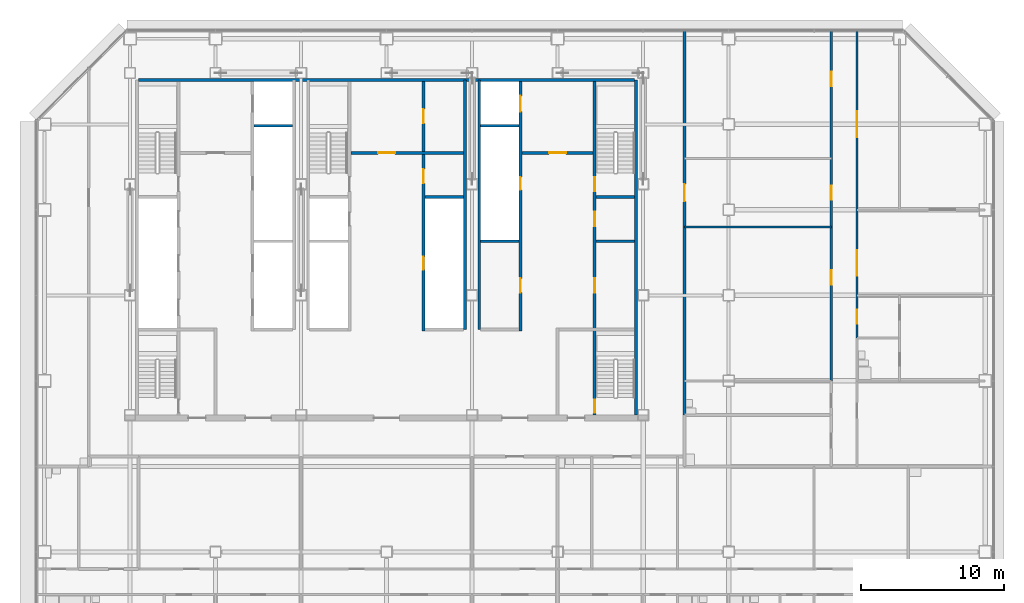
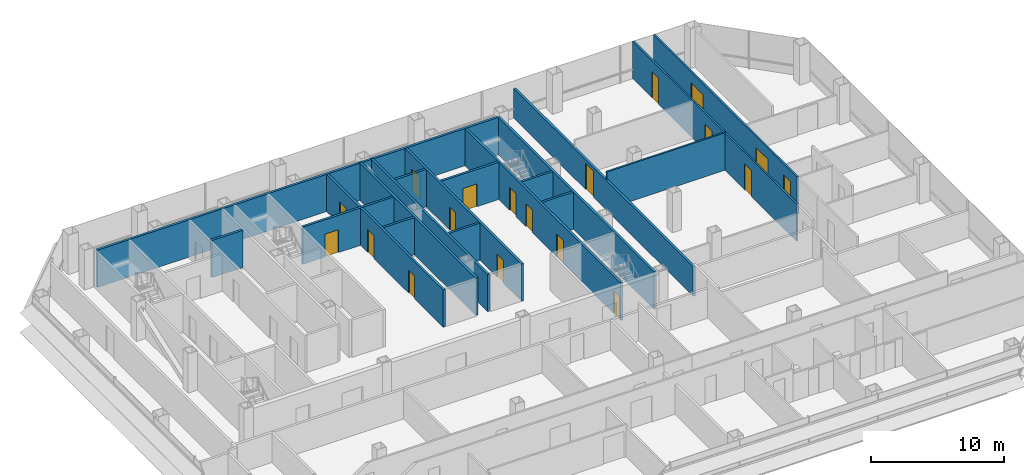
# One storey, part 23 of 27: 19 doors, 19 walls, 19 openings.
"""IFC4 building model written with IfcOpenShell, lengths in metres."""

from ifc_helpers import new_model, si_unit, direction, frame, frame_2d, origin, place, context, subcontext, project, spatial, rectangle, extrude, material, layer, layer_set, type_object, element, fill, save


model = new_model("IFC4")

# Units and contexts
model_context = context("Model", 3, precision=1e-05, world=origin(), true_north=direction((0.0, 1.0)))
body_context = subcontext(model_context, "Body", "Model", "MODEL_VIEW")
ifc_project = project(units=[si_unit("LENGTHUNIT", "METRE"), si_unit("AREAUNIT", "SQUARE_METRE"), si_unit("VOLUMEUNIT", "CUBIC_METRE"), si_unit("PLANEANGLEUNIT", "RADIAN"), si_unit("MASSUNIT", "GRAM", prefix="KILO")], contexts=[model_context])

# Site, building, storey
site_placement = place(None, origin())
site = spatial("IfcSite", under=ifc_project, at=site_placement, CompositionType="ELEMENT")
building_placement = place(site_placement, origin())
building = spatial("IfcBuilding", under=site, at=building_placement, Name="Sorahane Residences", CompositionType="ELEMENT")
storey_placement = place(building_placement, frame((0.0, 0.0, 49.800048828125)))
storey = spatial("IfcBuildingStorey", under=building, at=storey_placement, Name="L08", CompositionType="ELEMENT", Elevation=49.800048828125)

# Walls
ifc_material_1 = material(Name="Concrete C30", Category="concrete")
ifc_layer_1 = layer(ifc_material_1, 0.199951171875)
ifc_layer_set_1 = layer_set([ifc_layer_1], Name="Core face wall 200 EI 180")
wall_type_1 = type_object("IfcWallType", Name="Core face wall 200 EI 180", PredefinedType="SOLIDWALL", material=ifc_layer_set_1)
wall_1_placement = place(storey_placement, frame((41.5, 21.60009765625, 0.0), z_axis=(0.0, 0.0, 1.0), x_axis=(0.0, 1.0, 0.0)))
element("IfcWall", 1, at=wall_1_placement, inside=storey, type_object=wall_type_1, Name="L08 core face wall", PredefinedType="SOLIDWALL", context=body_context, shape_type="SweptSolid", body=[
    extrude(rectangle(XDim=23.5, YDim=0.199951171875, at=frame_2d((11.75, 0.0))), origin(), (0.0, 0.0, 1.0), 3.419921875),
])
wall_2_placement = place(storey_placement, frame((6.60009765625, 45.10009765625, 0.0), z_axis=(0.0, 0.0, 1.0), x_axis=(1.0, 0.0, 0.0)))
element("IfcWall", 2, at=wall_2_placement, inside=storey, type_object=wall_type_1, Name="L08 core face wall", PredefinedType="SOLIDWALL", context=body_context, shape_type="SweptSolid", body=[
    extrude(rectangle(XDim=34.7998046875, YDim=0.199951171875, at=frame_2d((17.39990234375, 0.0))), origin(), (0.0, 0.0, 1.0), 3.419921875),
])
for number, where, z_axis, x_axis, name in (
    (3, (29.5, 27.60009765625, 0.0), (0.0, 0.0, 1.0), (0.0, 1.0, 0.0), "L08 core face wall"),
    (4, (30.5, 27.60009765625, 0.0), (0.0, 0.0, 1.0), (0.0, 1.0, 0.0), "L08 core face wall"),
):
    element("IfcWall", number, at=place(storey_placement, frame(where, z_axis=z_axis, x_axis=x_axis)), inside=storey, type_object=wall_type_1, Name=name, PredefinedType="SOLIDWALL", context=body_context, shape_type="SweptSolid", body=[
        extrude(rectangle(XDim=17.5, YDim=0.199951171875, at=frame_2d((8.75, 0.0))), origin(), (0.0, 0.0, 1.0), 3.419921875),
    ])

# Wall, opening, door
ifc_material_2 = material(Name="Concrete blockwork C20 wall", Category="masonry")
ifc_layer_2 = layer(ifc_material_2, 0.199951171875)
ifc_layer_set_2 = layer_set([ifc_layer_2], Name="Corridor wall 200 EI 120")
wall_type_2 = type_object("IfcWallType", Name="Corridor wall 200 EI 120", PredefinedType="SOLIDWALL", material=ifc_layer_set_2)
wall_3_placement = place(storey_placement, frame((44.89990234375, 21.60009765625, 0.0), z_axis=(0.0, 0.0, 1.0), x_axis=(0.0, 1.0, 0.0)))
wall_3 = element("IfcWall", 5, at=wall_3_placement, inside=storey, type_object=wall_type_2, Name="L08 corridor wall", PredefinedType="SOLIDWALL", context=body_context, shape_type="SweptSolid", body=[
    extrude(rectangle(XDim=27.0, YDim=0.199951171875, at=frame_2d((13.5, 0.0))), origin(), (0.0, 0.0, 1.0), 2.719970703125),
])
opening_1_placement = place(wall_3_placement, frame((15.0, 0.0, 0.0)))
opening_1 = element("IfcOpeningElement", 6, at=opening_1_placement, cuts=wall_3, Name="Opening L08-42", PredefinedType="OPENING", context=body_context, shape_type="SweptSolid", body=[
    extrude(rectangle(XDim=1.199951171875, YDim=2.39990234375, at=frame_2d((0.60009765625, 1.199951171875))), frame((0.0, 0.10986328125, 0.0), z_axis=(0.0, -1.0, 0.0), x_axis=(1.0, 0.0, 0.0)), (0.0, 0.0, 1.0), 0.219970703125),
])
ifc_material_3 = material(Name="Timber veneered fire door", Category="wood")
door_type_1 = type_object("IfcDoorType", Name="Flat entrance door 1200x2400 FD60", OperationType="NOTDEFINED", PredefinedType="DOOR", material=ifc_material_3)
door_1_placement = place(opening_1_placement, frame((1.199951171875, 0.0, 0.0), z_axis=(0.0, 0.0, 1.0), x_axis=(-1.0, 0.0, 0.0)))
door_1 = element("IfcDoor", 7, at=door_1_placement, inside=storey, type_object=door_type_1, Name="Flat entrance door L08-42", OperationType="SINGLE_SWING_RIGHT", OverallHeight=2.39990234375, OverallWidth=1.199951171875, PredefinedType="DOOR", context=body_context, shape_type="SweptSolid", body=[
    extrude(rectangle(XDim=1.199951171875, YDim=2.39990234375, at=frame_2d((0.60009765625, 1.199951171875))), frame((0.0, 0.02490234375, 0.0), z_axis=(0.0, -1.0, 0.0), x_axis=(1.0, 0.0, 0.0)), (0.0, 0.0, 1.0), 0.050048828125),
])
fill(opening_1, door_1)

ifc_material_4 = material(Name="Concrete C30", Category="concrete")
ifc_layer_3 = layer(ifc_material_4, 0.199951171875)
ifc_layer_set_3 = layer_set([ifc_layer_3], Name="Front room wall 200 EI 120")
wall_type_3 = type_object("IfcWallType", Name="Front room wall 200 EI 120", PredefinedType="PARTITIONING", material=ifc_layer_set_3)
wall_4_placement = place(storey_placement, frame((21.5, 40.0, 0.0), z_axis=(0.0, 0.0, 1.0), x_axis=(1.0, 0.0, 0.0)))
wall_4 = element("IfcWall", 8, at=wall_4_placement, inside=storey, type_object=wall_type_3, Name="L08 front room wall", PredefinedType="PARTITIONING", context=body_context, shape_type="SweptSolid", body=[
    extrude(rectangle(XDim=7.89990234375, YDim=0.199951171875, at=frame_2d((3.949951171875, 0.0))), origin(), (0.0, 0.0, 1.0), 3.419921875),
])
opening_2_placement = place(wall_4_placement, frame((1.89990234375, 0.0, 0.0)))
opening_2 = element("IfcOpeningElement", 9, at=opening_2_placement, cuts=wall_4, Name="Opening L08-C07", PredefinedType="OPENING", context=body_context, shape_type="SweptSolid", body=[
    extrude(rectangle(XDim=1.199951171875, YDim=2.10009765625, at=frame_2d((0.60009765625, 1.050048828125))), frame((0.0, 0.10986328125, 0.0), z_axis=(0.0, -1.0, 0.0), x_axis=(1.0, 0.0, 0.0)), (0.0, 0.0, 1.0), 0.219970703125),
])
ifc_material_5 = material(Name="Steel", Category="steel")
door_type_2 = type_object("IfcDoorType", Name="Front room door 1200x2100 FD120", OperationType="NOTDEFINED", PredefinedType="DOOR", material=ifc_material_5)
door_2_placement = place(opening_2_placement, frame((1.199951171875, 0.0, 0.0), z_axis=(0.0, 0.0, 1.0), x_axis=(-1.0, 0.0, 0.0)))
door_2 = element("IfcDoor", 10, at=door_2_placement, inside=storey, type_object=door_type_2, Name="Front room door Stair S3 vestibule L08", OperationType="DOUBLE_DOOR_SINGLE_SWING", OverallHeight=2.10009765625, OverallWidth=1.199951171875, PredefinedType="DOOR", context=body_context, shape_type="SweptSolid", body=[
    extrude(rectangle(XDim=1.199951171875, YDim=2.10009765625, at=frame_2d((0.60009765625, 1.050048828125))), frame((0.0, 0.02490234375, 0.0), z_axis=(0.0, -1.0, 0.0), x_axis=(1.0, 0.0, 0.0)), (0.0, 0.0, 1.0), 0.050048828125),
])
fill(opening_2, door_2)

wall_5_placement = place(storey_placement, frame((33.5, 40.0, 0.0), z_axis=(0.0, 0.0, 1.0), x_axis=(1.0, 0.0, 0.0)))
wall_5 = element("IfcWall", 11, at=wall_5_placement, inside=storey, type_object=wall_type_3, Name="L08 front room wall", PredefinedType="PARTITIONING", context=body_context, shape_type="SweptSolid", body=[
    extrude(rectangle(XDim=5.0, YDim=0.199951171875, at=frame_2d((2.5, 0.0))), origin(), (0.0, 0.0, 1.0), 3.419921875),
])
opening_3_placement = place(wall_5_placement, frame((1.89990234375, 0.0, 0.0)))
opening_3 = element("IfcOpeningElement", 12, at=opening_3_placement, cuts=wall_5, Name="Opening L08-C08", PredefinedType="OPENING", context=body_context, shape_type="SweptSolid", body=[
    extrude(rectangle(XDim=1.199951171875, YDim=2.10009765625, at=frame_2d((0.60009765625, 1.050048828125))), frame((0.0, 0.10986328125, 0.0), z_axis=(0.0, -1.0, 0.0), x_axis=(1.0, 0.0, 0.0)), (0.0, 0.0, 1.0), 0.219970703125),
])
door_3_placement = place(opening_3_placement, frame((1.199951171875, 0.0, 0.0), z_axis=(0.0, 0.0, 1.0), x_axis=(-1.0, 0.0, 0.0)))
door_3 = element("IfcDoor", 13, at=door_3_placement, inside=storey, type_object=door_type_2, Name="Front room door Firefighting lobby FF2 front room L08", OperationType="DOUBLE_DOOR_SINGLE_SWING", OverallHeight=2.10009765625, OverallWidth=1.199951171875, PredefinedType="DOOR", context=body_context, shape_type="SweptSolid", body=[
    extrude(rectangle(XDim=1.199951171875, YDim=2.10009765625, at=frame_2d((0.60009765625, 1.050048828125))), frame((0.0, 0.02490234375, 0.0), z_axis=(0.0, -1.0, 0.0), x_axis=(1.0, 0.0, 0.0)), (0.0, 0.0, 1.0), 0.050048828125),
])
fill(opening_3, door_3)

# Wall, openings, doors
ifc_material_6 = material(Name="Concrete C30", Category="concrete")
ifc_layer_4 = layer(ifc_material_6, 0.199951171875)
ifc_layer_set_4 = layer_set([ifc_layer_4], Name="Lift shaft wall 200 EI 120")
wall_type_4 = type_object("IfcWallType", Name="Lift shaft wall 200 EI 120", PredefinedType="SOLIDWALL", material=ifc_layer_set_4)
wall_6_placement = place(storey_placement, frame((33.39990234375, 27.5, 0.0), z_axis=(0.0, 0.0, 1.0), x_axis=(0.0, 1.0, 0.0)))
wall_6 = element("IfcWall", 14, at=wall_6_placement, inside=storey, type_object=wall_type_4, Name="L08 lift shaft wall", PredefinedType="SOLIDWALL", context=body_context, shape_type="SweptSolid", body=[
    extrude(rectangle(XDim=17.5, YDim=0.199951171875, at=frame_2d((8.75, 0.0))), origin(), (0.0, 0.0, 1.0), 3.419921875),
])
opening_4_placement = place(wall_6_placement, frame((15.39990234375, 0.0, 0.0)))
opening_4 = element("IfcOpeningElement", 15, at=opening_4_placement, cuts=wall_6, Name="Opening L08-C09", PredefinedType="OPENING", context=body_context, shape_type="SweptSolid", body=[
    extrude(rectangle(XDim=1.10009765625, YDim=2.10009765625, at=frame_2d((0.550048828125, 1.050048828125))), frame((0.0, 0.10986328125, 0.0), z_axis=(0.0, -1.0, 0.0), x_axis=(1.0, 0.0, 0.0)), (0.0, 0.0, 1.0), 0.219970703125),
])
opening_5_placement = place(wall_6_placement, frame((2.699951171875, 0.0, 0.0)))
opening_5 = element("IfcOpeningElement", 16, at=opening_5_placement, cuts=wall_6, Name="Opening L08-C18", PredefinedType="OPENING", context=body_context, shape_type="SweptSolid", body=[
    extrude(rectangle(XDim=1.0, YDim=2.10009765625, at=frame_2d((0.5, 1.050048828125))), frame((0.0, 0.10986328125, 0.0), z_axis=(0.0, -1.0, 0.0), x_axis=(1.0, 0.0, 0.0)), (0.0, 0.0, 1.0), 0.219970703125),
])
opening_6_placement = place(wall_6_placement, frame((9.89990234375, 0.0, 0.0)))
opening_6 = element("IfcOpeningElement", 17, at=opening_6_placement, cuts=wall_6, Name="Opening L08-C25", PredefinedType="OPENING", context=body_context, shape_type="SweptSolid", body=[
    extrude(rectangle(XDim=0.89990234375, YDim=2.10009765625, at=frame_2d((0.449951171875, 1.050048828125))), frame((0.0, 0.10986328125, 0.0), z_axis=(0.0, -1.0, 0.0), x_axis=(1.0, 0.0, 0.0)), (0.0, 0.0, 1.0), 0.219970703125),
])
ifc_material_7 = material(Name="Aluminium and stainless steel", Category="steel")
door_type_3 = type_object("IfcDoorType", Name="Lift landing door 1100x2100 E 60", OperationType="NOTDEFINED", PredefinedType="DOOR", material=ifc_material_7)
door_4_placement = place(opening_4_placement, origin())
door_4 = element("IfcDoor", 18, at=door_4_placement, inside=storey, type_object=door_type_3, Name="Lift landing door FF2 L08", OperationType="DOUBLE_DOOR_SLIDING", OverallHeight=2.10009765625, OverallWidth=1.10009765625, PredefinedType="DOOR", context=body_context, shape_type="SweptSolid", body=[
    extrude(rectangle(XDim=1.10009765625, YDim=2.10009765625, at=frame_2d((0.550048828125, 1.050048828125))), frame((0.0, 0.02490234375, 0.0), z_axis=(0.0, -1.0, 0.0), x_axis=(1.0, 0.0, 0.0)), (0.0, 0.0, 1.0), 0.050048828125),
])
fill(opening_4, door_4)
ifc_material_8 = material(Name="Steel", Category="steel")
door_type_4 = type_object("IfcDoorType", Name="Riser door 900x2100 FD120", OperationType="NOTDEFINED", PredefinedType="DOOR", material=ifc_material_8)
door_5_placement = place(opening_6_placement, frame((0.89990234375, 0.0, 0.0), z_axis=(0.0, 0.0, 1.0), x_axis=(-1.0, 0.0, 0.0)))
door_5 = element("IfcDoor", 19, at=door_5_placement, inside=storey, type_object=door_type_4, Name="Riser door R2 L08", OperationType="SINGLE_SWING_LEFT", OverallHeight=2.10009765625, OverallWidth=0.89990234375, PredefinedType="DOOR", context=body_context, shape_type="SweptSolid", body=[
    extrude(rectangle(XDim=0.89990234375, YDim=2.10009765625, at=frame_2d((0.449951171875, 1.050048828125))), frame((0.0, 0.02490234375, 0.0), z_axis=(0.0, -1.0, 0.0), x_axis=(1.0, 0.0, 0.0)), (0.0, 0.0, 1.0), 0.050048828125),
])
fill(opening_6, door_5)
ifc_material_9 = material(Name="Steel", Category="steel")
door_type_5 = type_object("IfcDoorType", Name="Service room door 1000x2100 FD60", OperationType="NOTDEFINED", PredefinedType="DOOR", material=ifc_material_9)
door_6_placement = place(opening_5_placement, origin())
door_6 = element("IfcDoor", 20, at=door_6_placement, inside=storey, type_object=door_type_5, Name="Service room door Archive L08", OperationType="SINGLE_SWING_RIGHT", OverallHeight=2.10009765625, OverallWidth=1.0, PredefinedType="DOOR", context=body_context, shape_type="SweptSolid", body=[
    extrude(rectangle(XDim=1.0, YDim=2.10009765625, at=frame_2d((0.5, 1.050048828125))), frame((0.0, 0.02490234375, 0.0), z_axis=(0.0, -1.0, 0.0), x_axis=(1.0, 0.0, 0.0)), (0.0, 0.0, 1.0), 0.050048828125),
])
fill(opening_5, door_6)

# Walls
for number, where, z_axis, x_axis, name in (
    (21, (14.699951171875, 41.89990234375, 0.0), (0.0, 0.0, 1.0), (1.0, 0.0, 0.0), "L08 lift shaft wall"),
    (22, (30.60009765625, 41.89990234375, 0.0), (0.0, 0.0, 1.0), (1.0, 0.0, 0.0), "L08 lift shaft wall"),
):
    element("IfcWall", number, at=place(storey_placement, frame(where, z_axis=z_axis, x_axis=x_axis)), inside=storey, type_object=wall_type_4, Name=name, PredefinedType="SOLIDWALL", context=body_context, shape_type="SweptSolid", body=[
        extrude(rectangle(XDim=2.699951171875, YDim=0.199951171875, at=frame_2d((1.35009765625, 0.0))), origin(), (0.0, 0.0, 1.0), 3.419921875),
    ])

# Wall, openings, doors
ifc_material_10 = material(Name="Gypsum board partition on steel studs", Category="steel")
ifc_layer_5 = layer(ifc_material_10, 0.14990234375)
ifc_layer_set_5 = layer_set([ifc_layer_5], Name="Partition 150 EI 90")
wall_type_5 = type_object("IfcWallType", Name="Partition 150 EI 90", PredefinedType="PARTITIONING", material=ifc_layer_set_5)
wall_7_placement = place(storey_placement, frame((55.199951171875, 24.0, 0.0), z_axis=(0.0, 0.0, 1.0), x_axis=(0.0, 1.0, 0.0)))
wall_7 = element("IfcWall", 23, at=wall_7_placement, inside=storey, type_object=wall_type_5, Name="L08 partition", PredefinedType="PARTITIONING", context=body_context, shape_type="SweptSolid", body=[
    extrude(rectangle(XDim=24.60009765625, YDim=0.14990234375, at=frame_2d((12.300048828125, 0.0))), origin(), (0.0, 0.0, 1.0), 3.419921875),
])
opening_7_placement = place(wall_7_placement, frame((12.699951171875, 0.0, 0.0)))
opening_7 = element("IfcOpeningElement", 24, at=opening_7_placement, cuts=wall_7, Name="Opening L08-28", PredefinedType="OPENING", context=body_context, shape_type="SweptSolid", body=[
    extrude(rectangle(XDim=1.0, YDim=2.39990234375, at=frame_2d((0.5, 1.199951171875))), frame((0.0, 0.0849609375, 0.0), z_axis=(0.0, -1.0, 0.0), x_axis=(1.0, 0.0, 0.0)), (0.0, 0.0, 1.0), 0.169921875),
])
opening_8_placement = place(wall_7_placement, frame((6.760009765625, 0.0, 0.0)))
opening_8 = element("IfcOpeningElement", 25, at=opening_8_placement, cuts=wall_7, Name="Opening L08-31", PredefinedType="OPENING", context=body_context, shape_type="SweptSolid", body=[
    extrude(rectangle(XDim=1.0, YDim=2.39990234375, at=frame_2d((0.5, 1.199951171875))), frame((0.0, 0.0849609375, 0.0), z_axis=(0.0, -1.0, 0.0), x_axis=(1.0, 0.0, 0.0)), (0.0, 0.0, 1.0), 0.169921875),
])
opening_9_placement = place(wall_7_placement, frame((20.679931640625, 0.0, 0.0)))
opening_9 = element("IfcOpeningElement", 26, at=opening_9_placement, cuts=wall_7, Name="Opening L08-32", PredefinedType="OPENING", context=body_context, shape_type="SweptSolid", body=[
    extrude(rectangle(XDim=1.0, YDim=2.39990234375, at=frame_2d((0.5, 1.199951171875))), frame((0.0, 0.0849609375, 0.0), z_axis=(0.0, -1.0, 0.0), x_axis=(1.0, 0.0, 0.0)), (0.0, 0.0, 1.0), 0.169921875),
])
ifc_material_11 = material(Name="Timber veneered fire door", Category="wood")
door_type_6 = type_object("IfcDoorType", Name="Room door 1000x2400 FD30", OperationType="NOTDEFINED", PredefinedType="DOOR", material=ifc_material_11)
door_7_placement = place(opening_7_placement, frame((1.0, 0.0, 0.0), z_axis=(0.0, 0.0, 1.0), x_axis=(-1.0, 0.0, 0.0)))
door_7 = element("IfcDoor", 27, at=door_7_placement, inside=storey, type_object=door_type_6, Name="Room door L08-28", OperationType="SINGLE_SWING_LEFT", OverallHeight=2.39990234375, OverallWidth=1.0, PredefinedType="DOOR", context=body_context, shape_type="SweptSolid", body=[
    extrude(rectangle(XDim=1.0, YDim=2.39990234375, at=frame_2d((0.5, 1.199951171875))), frame((0.0, 0.02490234375, 0.0), z_axis=(0.0, -1.0, 0.0), x_axis=(1.0, 0.0, 0.0)), (0.0, 0.0, 1.0), 0.050048828125),
])
fill(opening_7, door_7)
door_8_placement = place(opening_8_placement, origin())
door_8 = element("IfcDoor", 28, at=door_8_placement, inside=storey, type_object=door_type_6, Name="Room door L08-31", OperationType="SINGLE_SWING_LEFT", OverallHeight=2.39990234375, OverallWidth=1.0, PredefinedType="DOOR", context=body_context, shape_type="SweptSolid", body=[
    extrude(rectangle(XDim=1.0, YDim=2.39990234375, at=frame_2d((0.5, 1.199951171875))), frame((0.0, 0.02490234375, 0.0), z_axis=(0.0, -1.0, 0.0), x_axis=(1.0, 0.0, 0.0)), (0.0, 0.0, 1.0), 0.050048828125),
])
fill(opening_8, door_8)
door_9_placement = place(opening_9_placement, origin())
door_9 = element("IfcDoor", 29, at=door_9_placement, inside=storey, type_object=door_type_6, Name="Room door L08-32", OperationType="SINGLE_SWING_RIGHT", OverallHeight=2.39990234375, OverallWidth=1.0, PredefinedType="DOOR", context=body_context, shape_type="SweptSolid", body=[
    extrude(rectangle(XDim=1.0, YDim=2.39990234375, at=frame_2d((0.5, 1.199951171875))), frame((0.0, 0.02490234375, 0.0), z_axis=(0.0, -1.0, 0.0), x_axis=(1.0, 0.0, 0.0)), (0.0, 0.0, 1.0), 0.050048828125),
])
fill(opening_9, door_9)

wall_8_placement = place(storey_placement, frame((57.0, 27.0, 0.0), z_axis=(0.0, 0.0, 1.0), x_axis=(0.0, 1.0, 0.0)))
wall_8 = element("IfcWall", 30, at=wall_8_placement, inside=storey, type_object=wall_type_5, Name="L08 partition", PredefinedType="PARTITIONING", context=body_context, shape_type="SweptSolid", body=[
    extrude(rectangle(XDim=21.60009765625, YDim=0.14990234375, at=frame_2d((10.800048828125, 0.0))), origin(), (0.0, 0.0, 1.0), 3.419921875),
])
opening_10_placement = place(wall_8_placement, frame((1.0, 0.0, 0.0)))
opening_10 = element("IfcOpeningElement", 31, at=opening_10_placement, cuts=wall_8, Name="Opening L08-34", PredefinedType="OPENING", context=body_context, shape_type="SweptSolid", body=[
    extrude(rectangle(XDim=1.0, YDim=2.39990234375, at=frame_2d((0.5, 1.199951171875))), frame((0.0, 0.0849609375, 0.0), z_axis=(0.0, -1.0, 0.0), x_axis=(1.0, 0.0, 0.0)), (0.0, 0.0, 1.0), 0.169921875),
])
opening_11_placement = place(wall_8_placement, frame((4.360107421875, 0.0, 0.0)))
opening_11 = element("IfcOpeningElement", 32, at=opening_11_placement, cuts=wall_8, Name="Opening L08-35", PredefinedType="OPENING", context=body_context, shape_type="SweptSolid", body=[
    extrude(rectangle(XDim=1.800048828125, YDim=2.39990234375, at=frame_2d((0.89990234375, 1.199951171875))), frame((0.0, 0.0849609375, 0.0), z_axis=(0.0, -1.0, 0.0), x_axis=(1.0, 0.0, 0.0)), (0.0, 0.0, 1.0), 0.169921875),
])
opening_12_placement = place(wall_8_placement, frame((14.10009765625, 0.0, 0.0)))
opening_12 = element("IfcOpeningElement", 33, at=opening_12_placement, cuts=wall_8, Name="Opening L08-37", PredefinedType="OPENING", context=body_context, shape_type="SweptSolid", body=[
    extrude(rectangle(XDim=1.800048828125, YDim=2.39990234375, at=frame_2d((0.89990234375, 1.199951171875))), frame((0.0, 0.0849609375, 0.0), z_axis=(0.0, -1.0, 0.0), x_axis=(1.0, 0.0, 0.0)), (0.0, 0.0, 1.0), 0.169921875),
])
ifc_material_12 = material(Name="Timber veneered fire door", Category="wood")
door_type_7 = type_object("IfcDoorType", Name="Double door 1800x2400 FD30", OperationType="NOTDEFINED", PredefinedType="DOOR", material=ifc_material_12)
door_10_placement = place(opening_11_placement, frame((1.800048828125, 0.0, 0.0), z_axis=(0.0, 0.0, 1.0), x_axis=(-1.0, 0.0, 0.0)))
door_10 = element("IfcDoor", 34, at=door_10_placement, inside=storey, type_object=door_type_7, Name="Double door L08-35", OperationType="SINGLE_SWING_LEFT", OverallHeight=2.39990234375, OverallWidth=1.800048828125, PredefinedType="DOOR", context=body_context, shape_type="SweptSolid", body=[
    extrude(rectangle(XDim=1.800048828125, YDim=2.39990234375, at=frame_2d((0.89990234375, 1.199951171875))), frame((0.0, 0.02490234375, 0.0), z_axis=(0.0, -1.0, 0.0), x_axis=(1.0, 0.0, 0.0)), (0.0, 0.0, 1.0), 0.050048828125),
])
fill(opening_11, door_10)
door_11_placement = place(opening_12_placement, frame((1.800048828125, 0.0, 0.0), z_axis=(0.0, 0.0, 1.0), x_axis=(-1.0, 0.0, 0.0)))
door_11 = element("IfcDoor", 35, at=door_11_placement, inside=storey, type_object=door_type_7, Name="Double door L08-37", OperationType="SINGLE_SWING_RIGHT", OverallHeight=2.39990234375, OverallWidth=1.800048828125, PredefinedType="DOOR", context=body_context, shape_type="SweptSolid", body=[
    extrude(rectangle(XDim=1.800048828125, YDim=2.39990234375, at=frame_2d((0.89990234375, 1.199951171875))), frame((0.0, 0.02490234375, 0.0), z_axis=(0.0, -1.0, 0.0), x_axis=(1.0, 0.0, 0.0)), (0.0, 0.0, 1.0), 0.050048828125),
])
fill(opening_12, door_11)
door_12_placement = place(opening_10_placement, frame((1.0, 0.0, 0.0), z_axis=(0.0, 0.0, 1.0), x_axis=(-1.0, 0.0, 0.0)))
door_12 = element("IfcDoor", 36, at=door_12_placement, inside=storey, type_object=door_type_6, Name="Room door L08-34", OperationType="SINGLE_SWING_LEFT", OverallHeight=2.39990234375, OverallWidth=1.0, PredefinedType="DOOR", context=body_context, shape_type="SweptSolid", body=[
    extrude(rectangle(XDim=1.0, YDim=2.39990234375, at=frame_2d((0.5, 1.199951171875))), frame((0.0, 0.02490234375, 0.0), z_axis=(0.0, -1.0, 0.0), x_axis=(1.0, 0.0, 0.0)), (0.0, 0.0, 1.0), 0.050048828125),
])
fill(opening_10, door_12)

# Wall
wall_9_placement = place(storey_placement, frame((44.89990234375, 34.800048828125, 0.0), z_axis=(0.0, 0.0, 1.0), x_axis=(1.0, 0.0, 0.0)))
element("IfcWall", 37, at=wall_9_placement, inside=storey, type_object=wall_type_5, Name="L08 partition", PredefinedType="PARTITIONING", context=body_context, shape_type="SweptSolid", body=[
    extrude(rectangle(XDim=10.300048828125, YDim=0.14990234375, at=frame_2d((5.14990234375, 0.0))), origin(), (0.0, 0.0, 1.0), 3.419921875),
])

# Wall, openings, doors
ifc_material_13 = material(Name="Concrete C30", Category="concrete")
ifc_layer_6 = layer(ifc_material_13, 0.199951171875)
ifc_layer_set_6 = layer_set([ifc_layer_6], Name="Riser shaft wall 200 EI 120")
wall_type_6 = type_object("IfcWallType", Name="Riser shaft wall 200 EI 120", PredefinedType="SOLIDWALL", material=ifc_layer_set_6)
wall_10_placement = place(storey_placement, frame((26.60009765625, 27.5, 0.0), z_axis=(0.0, 0.0, 1.0), x_axis=(0.0, 1.0, 0.0)))
wall_10 = element("IfcWall", 38, at=wall_10_placement, inside=storey, type_object=wall_type_6, Name="L08 riser wall", PredefinedType="SOLIDWALL", context=body_context, shape_type="SweptSolid", body=[
    extrude(rectangle(XDim=17.5, YDim=0.199951171875, at=frame_2d((8.75, 0.0))), origin(), (0.0, 0.0, 1.0), 3.419921875),
])
opening_13_placement = place(wall_10_placement, frame((4.300048828125, 0.0, 0.0)))
opening_13 = element("IfcOpeningElement", 39, at=opening_13_placement, cuts=wall_10, Name="Opening L08-C27", PredefinedType="OPENING", context=body_context, shape_type="SweptSolid", body=[
    extrude(rectangle(XDim=0.89990234375, YDim=2.10009765625, at=frame_2d((0.449951171875, 1.050048828125))), frame((0.0, 0.10986328125, 0.0), z_axis=(0.0, -1.0, 0.0), x_axis=(1.0, 0.0, 0.0)), (0.0, 0.0, 1.0), 0.219970703125),
])
opening_14_placement = place(wall_10_placement, frame((10.35009765625, 0.0, 0.0)))
opening_14 = element("IfcOpeningElement", 40, at=opening_14_placement, cuts=wall_10, Name="Opening L08-C28", PredefinedType="OPENING", context=body_context, shape_type="SweptSolid", body=[
    extrude(rectangle(XDim=1.0, YDim=2.10009765625, at=frame_2d((0.5, 1.050048828125))), frame((0.0, 0.10986328125, 0.0), z_axis=(0.0, -1.0, 0.0), x_axis=(1.0, 0.0, 0.0)), (0.0, 0.0, 1.0), 0.219970703125),
])
opening_15_placement = place(wall_10_placement, frame((14.574951171875, 0.0, 0.0)))
opening_15 = element("IfcOpeningElement", 41, at=opening_15_placement, cuts=wall_10, Name="Opening L08-C29", PredefinedType="OPENING", context=body_context, shape_type="SweptSolid", body=[
    extrude(rectangle(XDim=1.0, YDim=2.10009765625, at=frame_2d((0.5, 1.050048828125))), frame((0.0, 0.10986328125, 0.0), z_axis=(0.0, -1.0, 0.0), x_axis=(1.0, 0.0, 0.0)), (0.0, 0.0, 1.0), 0.219970703125),
])
door_13_placement = place(opening_13_placement, origin())
door_13 = element("IfcDoor", 42, at=door_13_placement, inside=storey, type_object=door_type_4, Name="Riser door R4 L08", OperationType="SINGLE_SWING_LEFT", OverallHeight=2.10009765625, OverallWidth=0.89990234375, PredefinedType="DOOR", context=body_context, shape_type="SweptSolid", body=[
    extrude(rectangle(XDim=0.89990234375, YDim=2.10009765625, at=frame_2d((0.449951171875, 1.050048828125))), frame((0.0, 0.02490234375, 0.0), z_axis=(0.0, -1.0, 0.0), x_axis=(1.0, 0.0, 0.0)), (0.0, 0.0, 1.0), 0.050048828125),
])
fill(opening_13, door_13)
door_14_placement = place(opening_14_placement, frame((1.0, 0.0, 0.0), z_axis=(0.0, 0.0, 1.0), x_axis=(-1.0, 0.0, 0.0)))
door_14 = element("IfcDoor", 43, at=door_14_placement, inside=storey, type_object=door_type_5, Name="Service room door Linen room L08", OperationType="SINGLE_SWING_LEFT", OverallHeight=2.10009765625, OverallWidth=1.0, PredefinedType="DOOR", context=body_context, shape_type="SweptSolid", body=[
    extrude(rectangle(XDim=1.0, YDim=2.10009765625, at=frame_2d((0.5, 1.050048828125))), frame((0.0, 0.02490234375, 0.0), z_axis=(0.0, -1.0, 0.0), x_axis=(1.0, 0.0, 0.0)), (0.0, 0.0, 1.0), 0.050048828125),
])
fill(opening_14, door_14)
door_15_placement = place(opening_15_placement, frame((1.0, 0.0, 0.0), z_axis=(0.0, 0.0, 1.0), x_axis=(-1.0, 0.0, 0.0)))
door_15 = element("IfcDoor", 44, at=door_15_placement, inside=storey, type_object=door_type_5, Name="Service room door Cleaners' store L08", OperationType="SINGLE_SWING_LEFT", OverallHeight=2.10009765625, OverallWidth=1.0, PredefinedType="DOOR", context=body_context, shape_type="SweptSolid", body=[
    extrude(rectangle(XDim=1.0, YDim=2.10009765625, at=frame_2d((0.5, 1.050048828125))), frame((0.0, 0.02490234375, 0.0), z_axis=(0.0, -1.0, 0.0), x_axis=(1.0, 0.0, 0.0)), (0.0, 0.0, 1.0), 0.050048828125),
])
fill(opening_15, door_15)

# Walls
for number, where, z_axis, x_axis, name in (
    (45, (30.60009765625, 33.800048828125, 0.0), (0.0, 0.0, 1.0), (1.0, 0.0, 0.0), "L08 riser wall"),
    (46, (26.699951171875, 36.89990234375, 0.0), (0.0, 0.0, 1.0), (1.0, 0.0, 0.0), "L08 riser wall"),
):
    element("IfcWall", number, at=place(storey_placement, frame(where, z_axis=z_axis, x_axis=x_axis)), inside=storey, type_object=wall_type_6, Name=name, PredefinedType="SOLIDWALL", context=body_context, shape_type="SweptSolid", body=[
        extrude(rectangle(XDim=2.699951171875, YDim=0.199951171875, at=frame_2d((1.35009765625, 0.0))), origin(), (0.0, 0.0, 1.0), 3.419921875),
    ])
ifc_material_14 = material(Name="Concrete C30", Category="concrete")
ifc_layer_7 = layer(ifc_material_14, 0.199951171875)
ifc_layer_set_7 = layer_set([ifc_layer_7], Name="Service room partition 200 EI 60")
wall_type_7 = type_object("IfcWallType", Name="Service room partition 200 EI 60", PredefinedType="PARTITIONING", material=ifc_layer_set_7)
wall_11_placement = place(storey_placement, frame((38.699951171875, 33.800048828125, 0.0), z_axis=(0.0, 0.0, 1.0), x_axis=(1.0, 0.0, 0.0)))
element("IfcWall", 47, at=wall_11_placement, inside=storey, type_object=wall_type_7, Name="L08 service room wall", PredefinedType="PARTITIONING", context=body_context, shape_type="SweptSolid", body=[
    extrude(rectangle(XDim=2.699951171875, YDim=0.199951171875, at=frame_2d((1.35009765625, 0.0))), origin(), (0.0, 0.0, 1.0), 3.419921875),
])

# Wall, openings, doors
ifc_material_15 = material(Name="Concrete C30", Category="concrete")
ifc_layer_8 = layer(ifc_material_15, 0.199951171875)
ifc_layer_set_8 = layer_set([ifc_layer_8], Name="Stair enclosure wall 200 EI 120")
wall_type_8 = type_object("IfcWallType", Name="Stair enclosure wall 200 EI 120", PredefinedType="SOLIDWALL", material=ifc_layer_set_8)
wall_12_placement = place(storey_placement, frame((38.60009765625, 21.60009765625, 0.0), z_axis=(0.0, 0.0, 1.0), x_axis=(0.0, 1.0, 0.0)))
wall_12 = element("IfcWall", 48, at=wall_12_placement, inside=storey, type_object=wall_type_8, Name="L08 stair enclosure wall", PredefinedType="SOLIDWALL", context=body_context, shape_type="SweptSolid", body=[
    extrude(rectangle(XDim=23.39990234375, YDim=0.199951171875, at=frame_2d((11.699951171875, 0.0))), origin(), (0.0, 0.0, 1.0), 3.419921875),
])
opening_16_placement = place(wall_12_placement, frame((8.60009765625, 0.0, 0.0)))
opening_16 = element("IfcOpeningElement", 49, at=opening_16_placement, cuts=wall_12, Name="Opening L08-C16", PredefinedType="OPENING", context=body_context, shape_type="SweptSolid", body=[
    extrude(rectangle(XDim=1.0, YDim=2.10009765625, at=frame_2d((0.5, 1.050048828125))), frame((0.0, 0.10986328125, 0.0), z_axis=(0.0, -1.0, 0.0), x_axis=(1.0, 0.0, 0.0)), (0.0, 0.0, 1.0), 0.219970703125),
])
opening_17_placement = place(wall_12_placement, frame((13.25, 0.0, 0.0)))
opening_17 = element("IfcOpeningElement", 50, at=opening_17_placement, cuts=wall_12, Name="Opening L08-C17", PredefinedType="OPENING", context=body_context, shape_type="SweptSolid", body=[
    extrude(rectangle(XDim=1.0, YDim=2.10009765625, at=frame_2d((0.5, 1.050048828125))), frame((0.0, 0.10986328125, 0.0), z_axis=(0.0, -1.0, 0.0), x_axis=(1.0, 0.0, 0.0)), (0.0, 0.0, 1.0), 0.219970703125),
])
opening_18_placement = place(wall_12_placement, frame((15.699951171875, 0.0, 0.0)))
opening_18 = element("IfcOpeningElement", 51, at=opening_18_placement, cuts=wall_12, Name="Opening L08-C20", PredefinedType="OPENING", context=body_context, shape_type="SweptSolid", body=[
    extrude(rectangle(XDim=1.0, YDim=2.10009765625, at=frame_2d((0.5, 1.050048828125))), frame((0.0, 0.10986328125, 0.0), z_axis=(0.0, -1.0, 0.0), x_axis=(1.0, 0.0, 0.0)), (0.0, 0.0, 1.0), 0.219970703125),
])
opening_19_placement = place(wall_12_placement, frame((0.175048828125, 0.0, 0.0)))
opening_19 = element("IfcOpeningElement", 52, at=opening_19_placement, cuts=wall_12, Name="Opening L08-C23", PredefinedType="OPENING", context=body_context, shape_type="SweptSolid", body=[
    extrude(rectangle(XDim=0.89990234375, YDim=2.10009765625, at=frame_2d((0.449951171875, 1.050048828125))), frame((0.0, 0.10986328125, 0.0), z_axis=(0.0, -1.0, 0.0), x_axis=(1.0, 0.0, 0.0)), (0.0, 0.0, 1.0), 0.219970703125),
])
door_16_placement = place(opening_16_placement, frame((1.0, 0.0, 0.0), z_axis=(0.0, 0.0, 1.0), x_axis=(-1.0, 0.0, 0.0)))
door_16 = element("IfcDoor", 53, at=door_16_placement, inside=storey, type_object=door_type_5, Name="Service room door Archive L08", OperationType="SINGLE_SWING_RIGHT", OverallHeight=2.10009765625, OverallWidth=1.0, PredefinedType="DOOR", context=body_context, shape_type="SweptSolid", body=[
    extrude(rectangle(XDim=1.0, YDim=2.10009765625, at=frame_2d((0.5, 1.050048828125))), frame((0.0, 0.02490234375, 0.0), z_axis=(0.0, -1.0, 0.0), x_axis=(1.0, 0.0, 0.0)), (0.0, 0.0, 1.0), 0.050048828125),
])
fill(opening_16, door_16)
door_17_placement = place(opening_17_placement, frame((1.0, 0.0, 0.0), z_axis=(0.0, 0.0, 1.0), x_axis=(-1.0, 0.0, 0.0)))
door_17 = element("IfcDoor", 54, at=door_17_placement, inside=storey, type_object=door_type_5, Name="Service room door Flower room L08", OperationType="SINGLE_SWING_LEFT", OverallHeight=2.10009765625, OverallWidth=1.0, PredefinedType="DOOR", context=body_context, shape_type="SweptSolid", body=[
    extrude(rectangle(XDim=1.0, YDim=2.10009765625, at=frame_2d((0.5, 1.050048828125))), frame((0.0, 0.02490234375, 0.0), z_axis=(0.0, -1.0, 0.0), x_axis=(1.0, 0.0, 0.0)), (0.0, 0.0, 1.0), 0.050048828125),
])
fill(opening_17, door_17)
ifc_material_16 = material(Name="Steel", Category="steel")
door_type_8 = type_object("IfcDoorType", Name="Stair door 1000x2100 FD120", OperationType="NOTDEFINED", PredefinedType="DOOR", material=ifc_material_16)
door_18_placement = place(opening_18_placement, frame((1.0, 0.0, 0.0), z_axis=(0.0, 0.0, 1.0), x_axis=(-1.0, 0.0, 0.0)))
door_18 = element("IfcDoor", 55, at=door_18_placement, inside=storey, type_object=door_type_8, Name="Stair door S2 L08", OperationType="SINGLE_SWING_LEFT", OverallHeight=2.10009765625, OverallWidth=1.0, PredefinedType="DOOR", context=body_context, shape_type="SweptSolid", body=[
    extrude(rectangle(XDim=1.0, YDim=2.10009765625, at=frame_2d((0.5, 1.050048828125))), frame((0.0, 0.02490234375, 0.0), z_axis=(0.0, -1.0, 0.0), x_axis=(1.0, 0.0, 0.0)), (0.0, 0.0, 1.0), 0.050048828125),
])
fill(opening_18, door_18)
ifc_material_17 = material(Name="Steel", Category="steel")
door_type_9 = type_object("IfcDoorType", Name="Stair door 900x2100 FD120", OperationType="NOTDEFINED", PredefinedType="DOOR", material=ifc_material_17)
door_19_placement = place(opening_19_placement, frame((0.89990234375, 0.0, 0.0), z_axis=(0.0, 0.0, 1.0), x_axis=(-1.0, 0.0, 0.0)))
door_19 = element("IfcDoor", 56, at=door_19_placement, inside=storey, type_object=door_type_9, Name="Stair door S5 L08", OperationType="SINGLE_SWING_LEFT", OverallHeight=2.10009765625, OverallWidth=0.89990234375, PredefinedType="DOOR", context=body_context, shape_type="SweptSolid", body=[
    extrude(rectangle(XDim=0.89990234375, YDim=2.10009765625, at=frame_2d((0.449951171875, 1.050048828125))), frame((0.0, 0.02490234375, 0.0), z_axis=(0.0, -1.0, 0.0), x_axis=(1.0, 0.0, 0.0)), (0.0, 0.0, 1.0), 0.050048828125),
])
fill(opening_19, door_19)

# Wall
wall_13_placement = place(storey_placement, frame((38.699951171875, 36.89990234375, 0.0), z_axis=(0.0, 0.0, 1.0), x_axis=(1.0, 0.0, 0.0)))
element("IfcWall", 57, at=wall_13_placement, inside=storey, type_object=wall_type_8, Name="L08 stair enclosure wall", PredefinedType="SOLIDWALL", context=body_context, shape_type="SweptSolid", body=[
    extrude(rectangle(XDim=2.699951171875, YDim=0.199951171875, at=frame_2d((1.35009765625, 0.0))), origin(), (0.0, 0.0, 1.0), 3.419921875),
])

save(model, "model.ifc")
